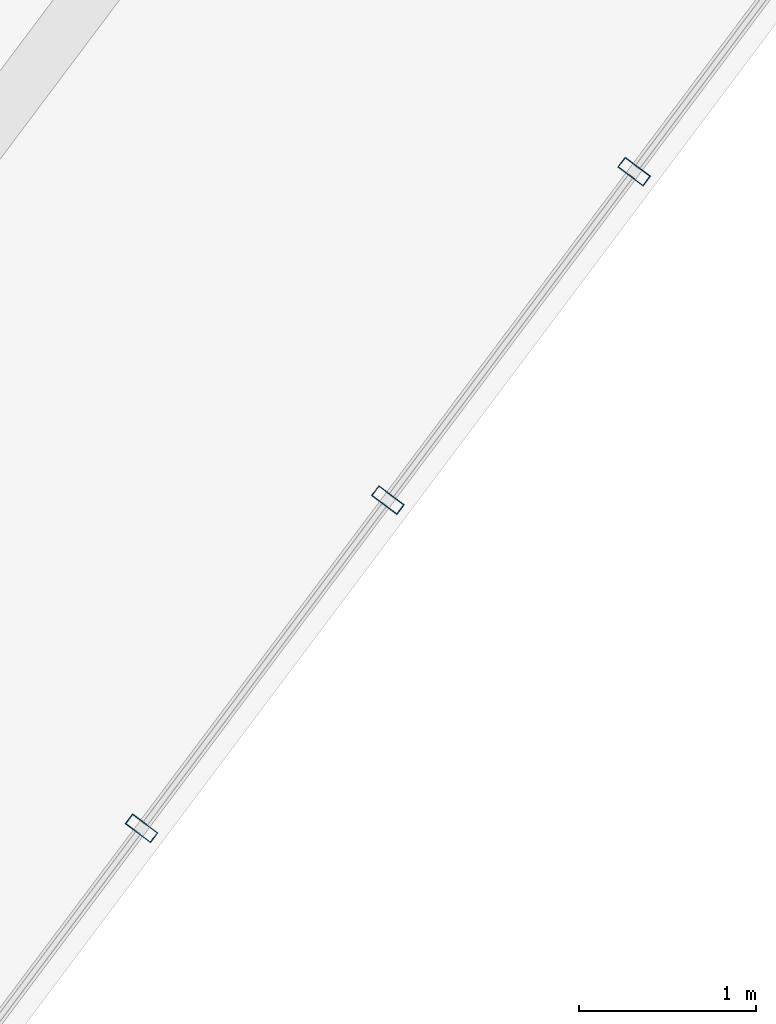
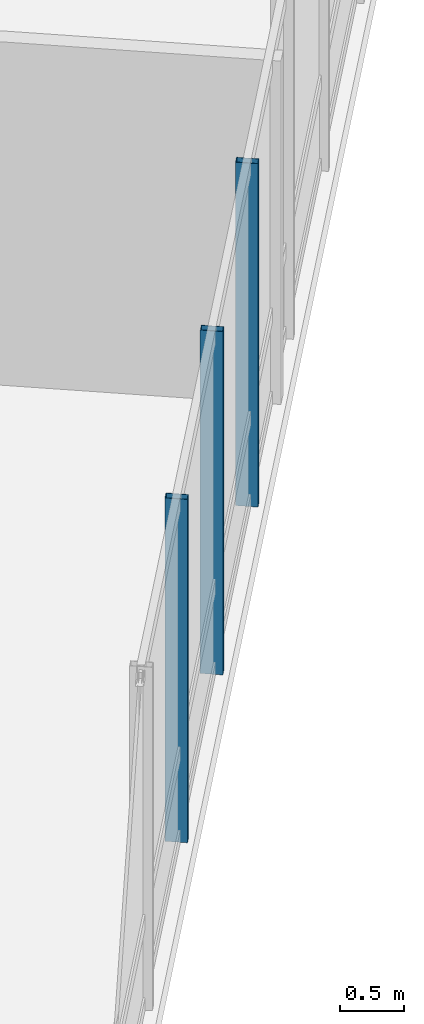
# One storey, part 11 of 25: 3 members, 1 element without a shape of its own.
"""IFC4 building model written with IfcOpenShell, lengths in metres."""

from ifc_helpers import new_model, si_unit, direction, frame, origin, origin_2d, place, context, subcontext, project, spatial, hollow_rectangle, extrude, material, layer, layer_set, material_profile, profile_set, type_object, element, aggregate, save


model = new_model("IFC4")

# Units and contexts
model_context = context("Model", 3, precision=1e-05, world=origin(), true_north=direction((0.0, 1.0)))
body_context = subcontext(model_context, "Body", "Model", "MODEL_VIEW")
ifc_project = project(units=[si_unit("LENGTHUNIT", "METRE"), si_unit("AREAUNIT", "SQUARE_METRE"), si_unit("VOLUMEUNIT", "CUBIC_METRE"), si_unit("PLANEANGLEUNIT", "RADIAN"), si_unit("MASSUNIT", "GRAM", prefix="KILO")], contexts=[model_context])

# Site, building, storey
site_placement = place(None, origin())
site = spatial("IfcSite", under=ifc_project, at=site_placement, CompositionType="ELEMENT")
building_placement = place(site_placement, origin())
building = spatial("IfcBuilding", under=site, at=building_placement, Name="Hatsunagi Terrace Concourse", CompositionType="ELEMENT")
storey_placement = place(building_placement, frame((0.0, 0.0, 231.14990234375)))
storey = spatial("IfcBuildingStorey", under=building, at=storey_placement, Name="L61", CompositionType="ELEMENT", Elevation=231.14990234375)

# Curtain wall, members
ifc_material_1 = material(Name="Anodised Aluminium Alloy 6063-T5", Category="aluminium")
ifc_layer = layer(ifc_material_1, 0.199951171875)
ifc_layer_set = layer_set([ifc_layer], Name="OfficeZone2_CW04")
curtain_wall_type = type_object("IfcCurtainWallType", Name="OfficeZone2_CW04", PredefinedType="NOTDEFINED", material=ifc_layer_set)
curtain_wall_placement = place(storey_placement, origin())
curtain_wall = element("IfcCurtainWall", 1, at=curtain_wall_placement, inside=storey, type_object=curtain_wall_type, Name="Unitised Curtain Wall CW-04 CW-L61-03", PredefinedType="NOTDEFINED")
ifc_material_2 = material(Name="Anodised Aluminium Alloy 6063-T5", Category="aluminium")
ifc_material_profile = material_profile(ifc_material_2, hollow_rectangle(XDim=0.070068359375, YDim=0.179931640625, WallThickness=0.00390625, at=origin_2d()), Name="ALU-MUL-180x70x4")
ifc_profile_set = profile_set([ifc_material_profile], Name="Anodised Aluminium Alloy 6063-T5")
member_type = type_object("IfcMemberType", Name="CurtainWallMullion_180x70", PredefinedType="MULLION", material=ifc_profile_set)
member_1_placement = place(storey_placement, frame((53.73193359375, 16.676025390625, 0.0), z_axis=(0.0, 0.0, 1.0), x_axis=(-0.599969314634, -0.800023013105, 0.0)))
member_1 = element("IfcMember", 2, at=member_1_placement, type_object=member_type, Name="Curtain Wall Mullion MUL-02", PredefinedType="MULLION", context=body_context, shape_type="SweptSolid", body=[
    extrude(hollow_rectangle(XDim=0.070068359375, YDim=0.179931640625, WallThickness=0.00390625, at=origin_2d()), origin(), (0.0, 0.0, 1.0), 3.300048828125),
])
member_2_placement = place(storey_placement, frame((52.340087890625, 14.819091796875, 0.0), z_axis=(0.0, 0.0, 1.0), x_axis=(-0.599969314634, -0.800023013105, 0.0)))
member_2 = element("IfcMember", 3, at=member_2_placement, type_object=member_type, Name="Curtain Wall Mullion MUL-02", PredefinedType="MULLION", context=body_context, shape_type="SweptSolid", body=[
    extrude(hollow_rectangle(XDim=0.070068359375, YDim=0.179931640625, WallThickness=0.00390625, at=origin_2d()), origin(), (0.0, 0.0, 1.0), 3.300048828125),
])
member_3_placement = place(storey_placement, frame((50.947021484375, 12.962890625, 0.0), z_axis=(0.0, 0.0, 1.0), x_axis=(-0.599969314634, -0.800023013105, 0.0)))
member_3 = element("IfcMember", 4, at=member_3_placement, type_object=member_type, Name="Curtain Wall Mullion MUL-02", PredefinedType="MULLION", context=body_context, shape_type="SweptSolid", body=[
    extrude(hollow_rectangle(XDim=0.070068359375, YDim=0.179931640625, WallThickness=0.00390625, at=origin_2d()), origin(), (0.0, 0.0, 1.0), 3.300048828125),
])
aggregate(curtain_wall, [member_1, member_2, member_3])

save(model, "model.ifc")
